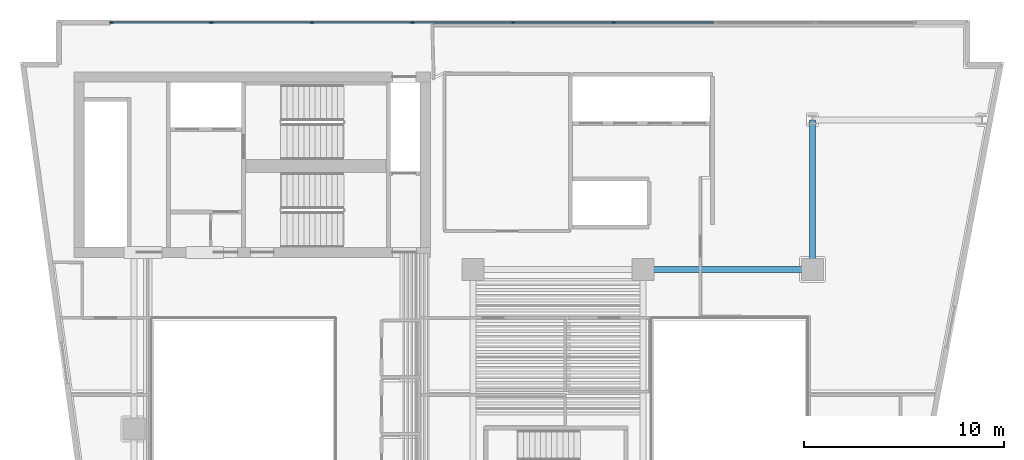
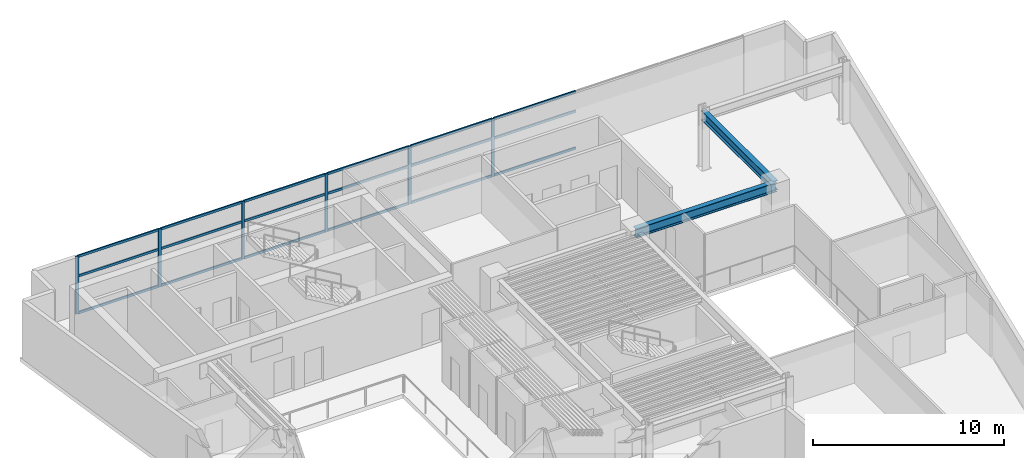
# One storey, part 3 of 13: 24 members, 2 beams, 1 element without a shape of its own.
"""IFC4 building model written with IfcOpenShell, lengths in metres."""

from ifc_helpers import new_model, si_unit, direction, frame, origin, origin_2d, place, context, subcontext, project, spatial, rectangle, i_section, extrude, material, layer, layer_set, material_profile, profile_set, type_object, element, aggregate, save


model = new_model("IFC4")

# Units and contexts
model_context = context("Model", 3, precision=1e-05, world=origin(), true_north=direction((0.0, 1.0)))
body_context = subcontext(model_context, "Body", "Model", "MODEL_VIEW")
ifc_project = project(units=[si_unit("LENGTHUNIT", "METRE"), si_unit("AREAUNIT", "SQUARE_METRE"), si_unit("VOLUMEUNIT", "CUBIC_METRE"), si_unit("PLANEANGLEUNIT", "RADIAN"), si_unit("MASSUNIT", "GRAM", prefix="KILO")], contexts=[model_context])

# Site, building, storey
site_placement = place(None, origin())
site = spatial("IfcSite", under=ifc_project, at=site_placement, CompositionType="ELEMENT")
building_placement = place(site_placement, origin())
building = spatial("IfcBuilding", under=site, at=building_placement, Name="Caeloran Harvest Quay", CompositionType="ELEMENT")
storey_placement = place(building_placement, frame((0.0, 0.0, 166.699951171875)))
storey = spatial("IfcBuildingStorey", under=building, at=storey_placement, Name="L39", CompositionType="ELEMENT", Elevation=166.699951171875)

# Beams
ifc_material_1 = material(Name="Steel S355J2", Category="steel")
ifc_material_profile_1 = material_profile(ifc_material_1, i_section(OverallWidth=0.300048828125, OverallDepth=0.60009765625, WebThickness=0.015380859375, FlangeThickness=0.030029296875, FilletRadius=0.027099609375, at=origin_2d()), Name="HE 600 B")
ifc_profile_set_1 = profile_set([ifc_material_profile_1], Name="Steel S355J2")
beam_type = type_object("IfcBeamType", Name="BM-PG-3-HE_600_B", PredefinedType="BEAM", material=ifc_profile_set_1)
beam_1_placement = place(storey_placement, frame((34.0, 31.0, 3.39013671875), z_axis=(1.0, 0.0, 0.0), x_axis=(0.0, 1.0, 0.0)))
element("IfcBeam", 1, at=beam_1_placement, inside=storey, type_object=beam_type, Name="L39 Primary East-West Girder Y=31.0", PredefinedType="BEAM", context=body_context, shape_type="SweptSolid", body=[
    extrude(i_section(OverallWidth=0.300048828125, OverallDepth=0.60009765625, WebThickness=0.015380859375, FlangeThickness=0.030029296875, FilletRadius=0.027099609375, at=origin_2d()), origin(), (0.0, 0.0, 1.0), 8.5),
])
beam_2_placement = place(storey_placement, frame((42.5, 31.0, 3.39013671875), z_axis=(0.0, 1.0, 0.0), x_axis=(-1.0, 0.0, 0.0)))
element("IfcBeam", 2, at=beam_2_placement, inside=storey, type_object=beam_type, Name="L39 Primary North-South Girder X=42.5", PredefinedType="BEAM", context=body_context, shape_type="SweptSolid", body=[
    extrude(i_section(OverallWidth=0.300048828125, OverallDepth=0.60009765625, WebThickness=0.015380859375, FlangeThickness=0.030029296875, FilletRadius=0.027099609375, at=origin_2d()), origin(), (0.0, 0.0, 1.0), 7.5),
])

# Curtain wall, members
ifc_material_2 = material(Name="Aluminium 6063-T6 and Low-E Glazing", Category="aluminium")
ifc_layer = layer(ifc_material_2, 0.22998046875, Name="Aluminium 6063-T6 and Low-E Glazing")
ifc_layer_set = layer_set([ifc_layer], Name="Aluminium 6063-T6 and Low-E Glazing")
curtain_wall_type = type_object("IfcCurtainWallType", Name="CW-SYS-CW-6", PredefinedType="USERDEFINED", material=ifc_layer_set)
curtain_wall_placement = place(storey_placement, origin())
curtain_wall = element("IfcCurtainWall", 3, at=curtain_wall_placement, inside=storey, type_object=curtain_wall_type, Name="L39 Unitised Curtain Wall CW-6 Run 6", ObjectType="CURTAIN_WALL", PredefinedType="USERDEFINED")
ifc_material_3 = material(Name="Aluminium 6063-T6", Category="aluminium")
ifc_material_profile_2 = material_profile(ifc_material_3, rectangle(XDim=0.080078125, YDim=0.179931640625, at=origin_2d()), Name="CW-MULLION-180")
ifc_profile_set_2 = profile_set([ifc_material_profile_2], Name="Aluminium 6063-T6")
member_type_1 = type_object("IfcMemberType", Name="CW-MULLION-180", PredefinedType="MULLION", material=ifc_profile_set_2)
member_1_placement = place(storey_placement, frame((7.3701171875, 43.3701171875, 0.0), z_axis=(0.0, 0.0, 1.0), x_axis=(0.0, 1.0, 0.0)))
member_1 = element("IfcMember", 4, at=member_1_placement, type_object=member_type_1, Name="CW-6 mullion 1", PredefinedType="MULLION", context=body_context, shape_type="SweptSolid", body=[
    extrude(rectangle(XDim=0.080078125, YDim=0.179931640625, at=origin_2d()), origin(), (0.0, 0.0, 1.0), 3.68994140625),
])
member_2_placement = place(storey_placement, frame((12.37255859375, 43.3701171875, 0.0), z_axis=(0.0, 0.0, 1.0), x_axis=(0.0, 1.0, 0.0)))
member_2 = element("IfcMember", 5, at=member_2_placement, type_object=member_type_1, Name="CW-6 mullion 2", PredefinedType="MULLION", context=body_context, shape_type="SweptSolid", body=[
    extrude(rectangle(XDim=0.080078125, YDim=0.179931640625, at=origin_2d()), origin(), (0.0, 0.0, 1.0), 3.68994140625),
])
member_3_placement = place(storey_placement, frame((17.4150390625, 43.3701171875, 0.0), z_axis=(0.0, 0.0, 1.0), x_axis=(0.0, 1.0, 0.0)))
member_3 = element("IfcMember", 6, at=member_3_placement, type_object=member_type_1, Name="CW-6 mullion 3", PredefinedType="MULLION", context=body_context, shape_type="SweptSolid", body=[
    extrude(rectangle(XDim=0.080078125, YDim=0.179931640625, at=origin_2d()), origin(), (0.0, 0.0, 1.0), 3.68994140625),
])
member_4_placement = place(storey_placement, frame((22.45751953125, 43.3701171875, 0.0), z_axis=(0.0, 0.0, 1.0), x_axis=(0.0, 1.0, 0.0)))
member_4 = element("IfcMember", 7, at=member_4_placement, type_object=member_type_1, Name="CW-6 mullion 4", PredefinedType="MULLION", context=body_context, shape_type="SweptSolid", body=[
    extrude(rectangle(XDim=0.080078125, YDim=0.179931640625, at=origin_2d()), origin(), (0.0, 0.0, 1.0), 3.68994140625),
])
member_5_placement = place(storey_placement, frame((27.5, 43.3701171875, 0.0), z_axis=(0.0, 0.0, 1.0), x_axis=(0.0, 1.0, 0.0)))
member_5 = element("IfcMember", 8, at=member_5_placement, type_object=member_type_1, Name="CW-6 mullion 5", PredefinedType="MULLION", context=body_context, shape_type="SweptSolid", body=[
    extrude(rectangle(XDim=0.080078125, YDim=0.179931640625, at=origin_2d()), origin(), (0.0, 0.0, 1.0), 3.68994140625),
])
member_6_placement = place(storey_placement, frame((32.54248046875, 43.3701171875, 0.0), z_axis=(0.0, 0.0, 1.0), x_axis=(0.0, 1.0, 0.0)))
member_6 = element("IfcMember", 9, at=member_6_placement, type_object=member_type_1, Name="CW-6 mullion 6", PredefinedType="MULLION", context=body_context, shape_type="SweptSolid", body=[
    extrude(rectangle(XDim=0.080078125, YDim=0.179931640625, at=origin_2d()), origin(), (0.0, 0.0, 1.0), 3.68994140625),
])
ifc_material_profile_3 = material_profile(ifc_material_3, rectangle(XDim=0.080078125, YDim=0.14990234375, at=origin_2d()), Name="CW-TRANSOM-150")
ifc_profile_set_3 = profile_set([ifc_material_profile_3], Name="Aluminium 6063-T6")
member_type_2 = type_object("IfcMemberType", Name="CW-TRANSOM-150", PredefinedType="USERDEFINED", material=ifc_profile_set_3)
member_7_placement = place(storey_placement, frame((7.409912109375, 43.3701171875, 0.0400390625), z_axis=(1.0, 0.0, 0.0), x_axis=(0.0, 1.0, 0.0)))
member_7 = element("IfcMember", 10, at=member_7_placement, type_object=member_type_2, Name="CW-6 transom 1.1", ObjectType="TRANSOM", PredefinedType="USERDEFINED", context=body_context, shape_type="SweptSolid", body=[
    extrude(rectangle(XDim=0.080078125, YDim=0.14990234375, at=origin_2d()), origin(), (0.0, 0.0, 1.0), 4.922607421875),
])
member_8_placement = place(storey_placement, frame((7.409912109375, 43.3701171875, 2.400146484375), z_axis=(1.0, 0.0, 0.0), x_axis=(0.0, 1.0, 0.0)))
member_8 = element("IfcMember", 11, at=member_8_placement, type_object=member_type_2, Name="CW-6 transom 1.2", ObjectType="TRANSOM", PredefinedType="USERDEFINED", context=body_context, shape_type="SweptSolid", body=[
    extrude(rectangle(XDim=0.080078125, YDim=0.14990234375, at=origin_2d()), origin(), (0.0, 0.0, 1.0), 4.922607421875),
])
member_9_placement = place(storey_placement, frame((7.409912109375, 43.3701171875, 3.650146484375), z_axis=(1.0, 0.0, 0.0), x_axis=(0.0, 1.0, 0.0)))
member_9 = element("IfcMember", 12, at=member_9_placement, type_object=member_type_2, Name="CW-6 transom 1.3", ObjectType="TRANSOM", PredefinedType="USERDEFINED", context=body_context, shape_type="SweptSolid", body=[
    extrude(rectangle(XDim=0.080078125, YDim=0.14990234375, at=origin_2d()), origin(), (0.0, 0.0, 1.0), 4.922607421875),
])
member_10_placement = place(storey_placement, frame((12.41259765625, 43.3701171875, 0.0400390625), z_axis=(1.0, 0.0, 0.0), x_axis=(0.0, 1.0, 0.0)))
member_10 = element("IfcMember", 13, at=member_10_placement, type_object=member_type_2, Name="CW-6 transom 2.1", ObjectType="TRANSOM", PredefinedType="USERDEFINED", context=body_context, shape_type="SweptSolid", body=[
    extrude(rectangle(XDim=0.080078125, YDim=0.14990234375, at=origin_2d()), origin(), (0.0, 0.0, 1.0), 4.96240234375),
])
member_11_placement = place(storey_placement, frame((12.41259765625, 43.3701171875, 2.400146484375), z_axis=(1.0, 0.0, 0.0), x_axis=(0.0, 1.0, 0.0)))
member_11 = element("IfcMember", 14, at=member_11_placement, type_object=member_type_2, Name="CW-6 transom 2.2", ObjectType="TRANSOM", PredefinedType="USERDEFINED", context=body_context, shape_type="SweptSolid", body=[
    extrude(rectangle(XDim=0.080078125, YDim=0.14990234375, at=origin_2d()), origin(), (0.0, 0.0, 1.0), 4.96240234375),
])
member_12_placement = place(storey_placement, frame((12.41259765625, 43.3701171875, 3.650146484375), z_axis=(1.0, 0.0, 0.0), x_axis=(0.0, 1.0, 0.0)))
member_12 = element("IfcMember", 15, at=member_12_placement, type_object=member_type_2, Name="CW-6 transom 2.3", ObjectType="TRANSOM", PredefinedType="USERDEFINED", context=body_context, shape_type="SweptSolid", body=[
    extrude(rectangle(XDim=0.080078125, YDim=0.14990234375, at=origin_2d()), origin(), (0.0, 0.0, 1.0), 4.96240234375),
])
member_13_placement = place(storey_placement, frame((17.455078125, 43.3701171875, 0.0400390625), z_axis=(1.0, 0.0, 0.0), x_axis=(0.0, 1.0, 0.0)))
member_13 = element("IfcMember", 16, at=member_13_placement, type_object=member_type_2, Name="CW-6 transom 3.1", ObjectType="TRANSOM", PredefinedType="USERDEFINED", context=body_context, shape_type="SweptSolid", body=[
    extrude(rectangle(XDim=0.080078125, YDim=0.14990234375, at=origin_2d()), origin(), (0.0, 0.0, 1.0), 4.96240234375),
])
member_14_placement = place(storey_placement, frame((17.455078125, 43.3701171875, 2.400146484375), z_axis=(1.0, 0.0, 0.0), x_axis=(0.0, 1.0, 0.0)))
member_14 = element("IfcMember", 17, at=member_14_placement, type_object=member_type_2, Name="CW-6 transom 3.2", ObjectType="TRANSOM", PredefinedType="USERDEFINED", context=body_context, shape_type="SweptSolid", body=[
    extrude(rectangle(XDim=0.080078125, YDim=0.14990234375, at=origin_2d()), origin(), (0.0, 0.0, 1.0), 4.96240234375),
])
member_15_placement = place(storey_placement, frame((17.455078125, 43.3701171875, 3.650146484375), z_axis=(1.0, 0.0, 0.0), x_axis=(0.0, 1.0, 0.0)))
member_15 = element("IfcMember", 18, at=member_15_placement, type_object=member_type_2, Name="CW-6 transom 3.3", ObjectType="TRANSOM", PredefinedType="USERDEFINED", context=body_context, shape_type="SweptSolid", body=[
    extrude(rectangle(XDim=0.080078125, YDim=0.14990234375, at=origin_2d()), origin(), (0.0, 0.0, 1.0), 4.96240234375),
])
member_16_placement = place(storey_placement, frame((22.49755859375, 43.3701171875, 0.0400390625), z_axis=(1.0, 0.0, 0.0), x_axis=(0.0, 1.0, 0.0)))
member_16 = element("IfcMember", 19, at=member_16_placement, type_object=member_type_2, Name="CW-6 transom 4.1", ObjectType="TRANSOM", PredefinedType="USERDEFINED", context=body_context, shape_type="SweptSolid", body=[
    extrude(rectangle(XDim=0.080078125, YDim=0.14990234375, at=origin_2d()), origin(), (0.0, 0.0, 1.0), 4.96240234375),
])
member_17_placement = place(storey_placement, frame((22.49755859375, 43.3701171875, 2.400146484375), z_axis=(1.0, 0.0, 0.0), x_axis=(0.0, 1.0, 0.0)))
member_17 = element("IfcMember", 20, at=member_17_placement, type_object=member_type_2, Name="CW-6 transom 4.2", ObjectType="TRANSOM", PredefinedType="USERDEFINED", context=body_context, shape_type="SweptSolid", body=[
    extrude(rectangle(XDim=0.080078125, YDim=0.14990234375, at=origin_2d()), origin(), (0.0, 0.0, 1.0), 4.96240234375),
])
member_18_placement = place(storey_placement, frame((22.49755859375, 43.3701171875, 3.650146484375), z_axis=(1.0, 0.0, 0.0), x_axis=(0.0, 1.0, 0.0)))
member_18 = element("IfcMember", 21, at=member_18_placement, type_object=member_type_2, Name="CW-6 transom 4.3", ObjectType="TRANSOM", PredefinedType="USERDEFINED", context=body_context, shape_type="SweptSolid", body=[
    extrude(rectangle(XDim=0.080078125, YDim=0.14990234375, at=origin_2d()), origin(), (0.0, 0.0, 1.0), 4.96240234375),
])
member_19_placement = place(storey_placement, frame((27.5400390625, 43.3701171875, 0.0400390625), z_axis=(1.0, 0.0, 0.0), x_axis=(0.0, 1.0, 0.0)))
member_19 = element("IfcMember", 22, at=member_19_placement, type_object=member_type_2, Name="CW-6 transom 5.1", ObjectType="TRANSOM", PredefinedType="USERDEFINED", context=body_context, shape_type="SweptSolid", body=[
    extrude(rectangle(XDim=0.080078125, YDim=0.14990234375, at=origin_2d()), origin(), (0.0, 0.0, 1.0), 4.96240234375),
])
member_20_placement = place(storey_placement, frame((27.5400390625, 43.3701171875, 2.400146484375), z_axis=(1.0, 0.0, 0.0), x_axis=(0.0, 1.0, 0.0)))
member_20 = element("IfcMember", 23, at=member_20_placement, type_object=member_type_2, Name="CW-6 transom 5.2", ObjectType="TRANSOM", PredefinedType="USERDEFINED", context=body_context, shape_type="SweptSolid", body=[
    extrude(rectangle(XDim=0.080078125, YDim=0.14990234375, at=origin_2d()), origin(), (0.0, 0.0, 1.0), 4.96240234375),
])
member_21_placement = place(storey_placement, frame((27.5400390625, 43.3701171875, 3.650146484375), z_axis=(1.0, 0.0, 0.0), x_axis=(0.0, 1.0, 0.0)))
member_21 = element("IfcMember", 24, at=member_21_placement, type_object=member_type_2, Name="CW-6 transom 5.3", ObjectType="TRANSOM", PredefinedType="USERDEFINED", context=body_context, shape_type="SweptSolid", body=[
    extrude(rectangle(XDim=0.080078125, YDim=0.14990234375, at=origin_2d()), origin(), (0.0, 0.0, 1.0), 4.96240234375),
])
member_22_placement = place(storey_placement, frame((32.58251953125, 43.3701171875, 0.0400390625), z_axis=(1.0, 0.0, 0.0), x_axis=(0.0, 1.0, 0.0)))
member_22 = element("IfcMember", 25, at=member_22_placement, type_object=member_type_2, Name="CW-6 transom 6.1", ObjectType="TRANSOM", PredefinedType="USERDEFINED", context=body_context, shape_type="SweptSolid", body=[
    extrude(rectangle(XDim=0.080078125, YDim=0.14990234375, at=origin_2d()), origin(), (0.0, 0.0, 1.0), 4.96240234375),
])
member_23_placement = place(storey_placement, frame((32.58251953125, 43.3701171875, 2.400146484375), z_axis=(1.0, 0.0, 0.0), x_axis=(0.0, 1.0, 0.0)))
member_23 = element("IfcMember", 26, at=member_23_placement, type_object=member_type_2, Name="CW-6 transom 6.2", ObjectType="TRANSOM", PredefinedType="USERDEFINED", context=body_context, shape_type="SweptSolid", body=[
    extrude(rectangle(XDim=0.080078125, YDim=0.14990234375, at=origin_2d()), origin(), (0.0, 0.0, 1.0), 4.96240234375),
])
member_24_placement = place(storey_placement, frame((32.58251953125, 43.3701171875, 3.650146484375), z_axis=(1.0, 0.0, 0.0), x_axis=(0.0, 1.0, 0.0)))
member_24 = element("IfcMember", 27, at=member_24_placement, type_object=member_type_2, Name="CW-6 transom 6.3", ObjectType="TRANSOM", PredefinedType="USERDEFINED", context=body_context, shape_type="SweptSolid", body=[
    extrude(rectangle(XDim=0.080078125, YDim=0.14990234375, at=origin_2d()), origin(), (0.0, 0.0, 1.0), 4.96240234375),
])
aggregate(curtain_wall, [member_1, member_2, member_3, member_4, member_5, member_6, member_7, member_8, member_9, member_10, member_11, member_12, member_13, member_14, member_15, member_16, member_17, member_18, member_19, member_20, member_21, member_22, member_23, member_24])

save(model, "model.ifc")
